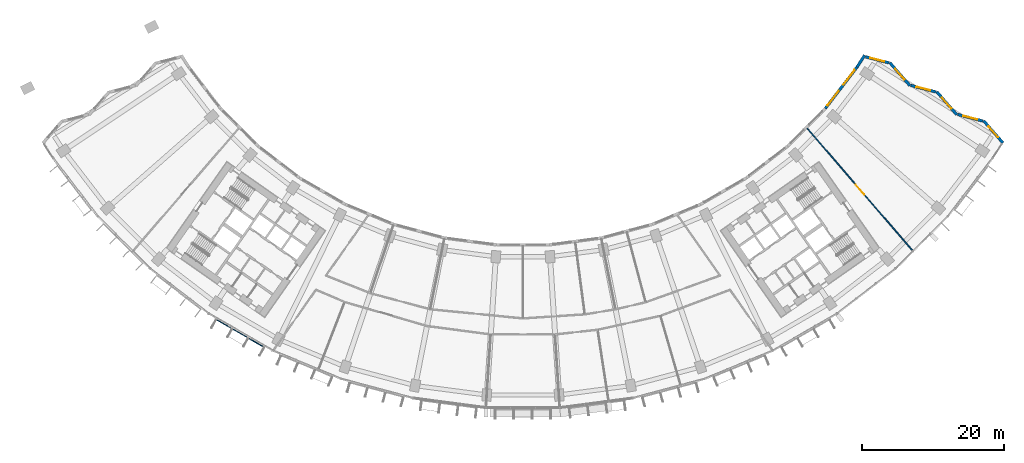
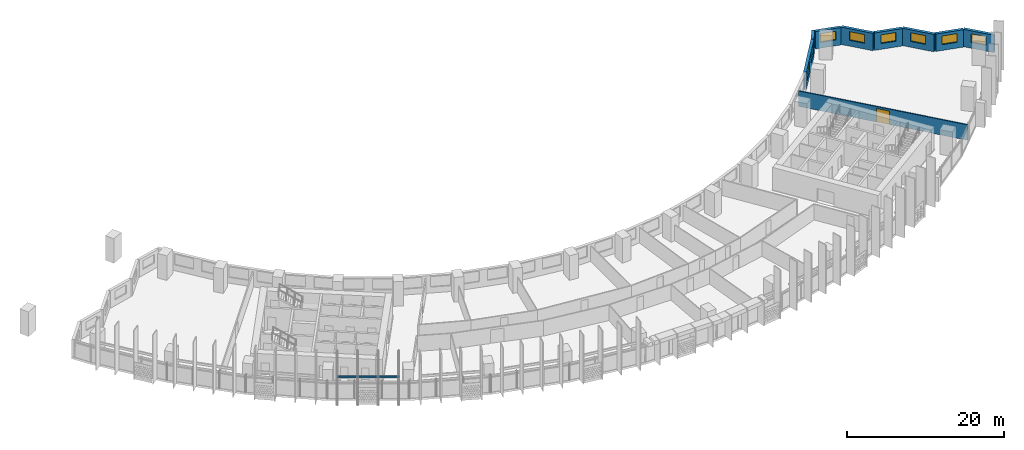
# One storey, part 8 of 32: 9 walls, 8 windows, 1 discrete accessory, 1 door, 9 openings.
"""IFC4 building model written with IfcOpenShell, lengths in metres."""

from ifc_helpers import new_model, si_unit, direction, frame, frame_2d, origin, origin_2d, place, context, subcontext, project, spatial, rectangle, extrude, material, layer, layer_set, type_object, element, fill, save


model = new_model("IFC4")

# Units and contexts
model_context = context("Model", 3, precision=1e-05, world=origin(), true_north=direction((0.0, 1.0)))
body_context = subcontext(model_context, "Body", "Model", "MODEL_VIEW")
ifc_project = project(units=[si_unit("LENGTHUNIT", "METRE"), si_unit("AREAUNIT", "SQUARE_METRE"), si_unit("VOLUMEUNIT", "CUBIC_METRE"), si_unit("PLANEANGLEUNIT", "RADIAN"), si_unit("MASSUNIT", "GRAM", prefix="KILO")], contexts=[model_context])

# Site, building, storey
site_placement = place(None, origin())
site = spatial("IfcSite", under=ifc_project, at=site_placement, CompositionType="ELEMENT")
building_placement = place(site_placement, origin())
building = spatial("IfcBuilding", under=site, at=building_placement, Name="Qamariyya Broadcast Tower", CompositionType="ELEMENT")
storey_placement = place(building_placement, frame((0.0, 0.0, 63.300048828125)))
storey = spatial("IfcBuildingStorey", under=building, at=storey_placement, Name="L12", CompositionType="ELEMENT", Elevation=63.300048828125)

# Wall, opening, door
ifc_material_1 = material(Name="Gypsum board partition")
ifc_layer_1 = layer(ifc_material_1, 0.14990234375)
ifc_layer_set_1 = layer_set([ifc_layer_1], Name="Corridor partition 150 EI 60")
wall_type_1 = type_object("IfcWallType", Name="Corridor partition 150 EI 60", PredefinedType="PARTITIONING", material=ifc_layer_set_1)
wall_1_placement = place(storey_placement, frame((40.021240234375, -40.063232421875, 0.0), z_axis=(0.0, 0.0, 1.0), x_axis=(0.652471531746, -0.757813235739, 0.0)))
wall_1 = element("IfcWall", 1, at=wall_1_placement, inside=storey, type_object=wall_type_1, Name="Partition L12-031", PredefinedType="PARTITIONING", context=body_context, shape_type="SweptSolid", body=[
    extrude(rectangle(XDim=22.71484375, YDim=0.14990234375, at=frame_2d((11.357421875, 0.0))), origin(), (0.0, 0.0, 1.0), 2.39990234375),
])
opening_1_placement = place(wall_1_placement, frame((10.45751953125, 0.0, 0.0)))
opening_1 = element("IfcOpeningElement", 2, at=opening_1_placement, cuts=wall_1, Name="Opening L12-D15", PredefinedType="OPENING", context=body_context, shape_type="SweptSolid", body=[
    extrude(rectangle(XDim=1.800048828125, YDim=2.10009765625, at=frame_2d((0.89990234375, 1.050048828125))), frame((0.0, 0.0849609375, 0.0), z_axis=(0.0, -1.0, 0.0), x_axis=(1.0, 0.0, 0.0)), (0.0, 0.0, 1.0), 0.169921875),
])
ifc_material_2 = material(Name="Timber fire door leaf", Category="wood")
door_type = type_object("IfcDoorType", Name="Double fire door 1800 x 2100 FD60", OperationType="NOTDEFINED", PredefinedType="DOOR", material=ifc_material_2)
door_placement = place(opening_1_placement, origin())
door = element("IfcDoor", 3, at=door_placement, inside=storey, type_object=door_type, Name="Door L12-D15", OperationType="DOUBLE_DOOR_SINGLE_SWING", OverallHeight=2.10009765625, OverallWidth=1.800048828125, PredefinedType="DOOR", context=body_context, shape_type="SweptSolid", body=[
    extrude(rectangle(XDim=1.800048828125, YDim=2.10009765625, at=frame_2d((0.89990234375, 1.050048828125))), frame((0.0, 0.02490234375, 0.0), z_axis=(0.0, -1.0, 0.0), x_axis=(1.0, 0.0, 0.0)), (0.0, 0.0, 1.0), 0.050048828125),
])
fill(opening_1, door)

# Wall, opening, window
ifc_material_3 = material(Name="Terracotta", Category="masonry")
ifc_layer_2 = layer(ifc_material_3, 0.39990234375)
ifc_layer_set_2 = layer_set([ifc_layer_2], Name="Terracotta clad wall 400")
wall_type_2 = type_object("IfcWallType", Name="Terracotta clad wall 400", PredefinedType="SOLIDWALL", material=ifc_layer_set_2)
wall_2_placement = place(storey_placement, frame((67.54931640625, -42.093505859375, 0.0), z_axis=(0.0, 0.0, 1.0), x_axis=(-0.657086010452, 0.753815610656, 0.0)))
wall_2 = element("IfcWall", 4, at=wall_2_placement, inside=storey, type_object=wall_type_2, Name="e-wl-L12-capE0", PredefinedType="SOLIDWALL", context=body_context, shape_type="SweptSolid", body=[
    extrude(rectangle(XDim=4.12158203125, YDim=0.39990234375, at=frame_2d((2.060791015625, 0.0))), origin(), (0.0, 0.0, 1.0), 2.699951171875),
])
opening_2_placement = place(wall_2_placement, frame((1.060791015625, 0.0, 0.89990234375)))
opening_2 = element("IfcOpeningElement", 5, at=opening_2_placement, cuts=wall_2, Name="Opening W4", PredefinedType="OPENING", context=body_context, shape_type="SweptSolid", body=[
    extrude(rectangle(XDim=2.0, YDim=1.35009765625, at=frame_2d((1.0, 0.675048828125))), frame((0.0, 0.2099609375, 0.0), z_axis=(0.0, -1.0, 0.0), x_axis=(1.0, 0.0, 0.0)), (0.0, 0.0, 1.0), 0.419921875),
])
ifc_material_4 = material(Name="Clear low-e double glazed unit in aluminium frame", Category="aluminium")
window_type_1 = type_object("IfcWindowType", Name="Horn bay window 2000 x 1350", PartitioningType="SINGLE_PANEL", PredefinedType="WINDOW", material=ifc_material_4)
window_1_placement = place(opening_2_placement, origin())
window_1 = element("IfcWindow", 6, at=window_1_placement, inside=storey, type_object=window_type_1, Name="e-w-L12-capE0", OverallHeight=1.35009765625, OverallWidth=2.0, PartitioningType="SINGLE_PANEL", PredefinedType="WINDOW", context=body_context, shape_type="SweptSolid", body=[
    extrude(rectangle(XDim=2.0, YDim=1.35009765625, at=frame_2d((1.0, 0.675048828125))), frame((0.0, 0.030029296875, 0.0), z_axis=(0.0, -1.0, 0.0), x_axis=(1.0, 0.0, 0.0)), (0.0, 0.0, 1.0), 0.06005859375),
])
fill(opening_2, window_1)

wall_3_placement = place(storey_placement, frame((64.716552734375, -39.018310546875, 0.0), z_axis=(0.0, 0.0, 1.0), x_axis=(-0.967784039245, 0.251781757445, 0.0)))
wall_3 = element("IfcWall", 7, at=wall_3_placement, inside=storey, type_object=wall_type_2, Name="e-wl-L12-capE1", PredefinedType="SOLIDWALL", context=body_context, shape_type="SweptSolid", body=[
    extrude(rectangle(XDim=3.648681640625, YDim=0.39990234375, at=frame_2d((1.82421875, 0.0))), origin(), (0.0, 0.0, 1.0), 2.699951171875),
])
opening_3_placement = place(wall_3_placement, frame((0.824462890625, 0.0, 0.89990234375)))
opening_3 = element("IfcOpeningElement", 8, at=opening_3_placement, cuts=wall_3, Name="Opening W4", PredefinedType="OPENING", context=body_context, shape_type="SweptSolid", body=[
    extrude(rectangle(XDim=2.0, YDim=1.35009765625, at=frame_2d((1.0, 0.675048828125))), frame((0.0, 0.2099609375, 0.0), z_axis=(0.0, -1.0, 0.0), x_axis=(1.0, 0.0, 0.0)), (0.0, 0.0, 1.0), 0.419921875),
])
window_2_placement = place(opening_3_placement, origin())
window_2 = element("IfcWindow", 9, at=window_2_placement, inside=storey, type_object=window_type_1, Name="e-w-L12-capE1", OverallHeight=1.35009765625, OverallWidth=2.0, PartitioningType="SINGLE_PANEL", PredefinedType="WINDOW", context=body_context, shape_type="SweptSolid", body=[
    extrude(rectangle(XDim=2.0, YDim=1.35009765625, at=frame_2d((1.0, 0.675048828125))), frame((0.0, 0.030029296875, 0.0), z_axis=(0.0, -1.0, 0.0), x_axis=(1.0, 0.0, 0.0)), (0.0, 0.0, 1.0), 0.06005859375),
])
fill(opening_3, window_2)

wall_4_placement = place(storey_placement, frame((61.060791015625, -38.13134765625, 0.0), z_axis=(0.0, 0.0, 1.0), x_axis=(-0.657163358548, 0.753748180881, 0.0)))
wall_4 = element("IfcWall", 10, at=wall_4_placement, inside=storey, type_object=wall_type_2, Name="e-wl-L12-capE2", PredefinedType="SOLIDWALL", context=body_context, shape_type="SweptSolid", body=[
    extrude(rectangle(XDim=4.294677734375, YDim=0.39990234375, at=frame_2d((2.1474609375, 0.0))), origin(), (0.0, 0.0, 1.0), 2.699951171875),
])
opening_4_placement = place(wall_4_placement, frame((1.147216796875, 0.0, 0.89990234375)))
opening_4 = element("IfcOpeningElement", 11, at=opening_4_placement, cuts=wall_4, Name="Opening W4", PredefinedType="OPENING", context=body_context, shape_type="SweptSolid", body=[
    extrude(rectangle(XDim=2.0, YDim=1.35009765625, at=frame_2d((1.0, 0.675048828125))), frame((0.0, 0.2099609375, 0.0), z_axis=(0.0, -1.0, 0.0), x_axis=(1.0, 0.0, 0.0)), (0.0, 0.0, 1.0), 0.419921875),
])
window_3_placement = place(opening_4_placement, origin())
window_3 = element("IfcWindow", 12, at=window_3_placement, inside=storey, type_object=window_type_1, Name="e-w-L12-capE2", OverallHeight=1.35009765625, OverallWidth=2.0, PartitioningType="SINGLE_PANEL", PredefinedType="WINDOW", context=body_context, shape_type="SweptSolid", body=[
    extrude(rectangle(XDim=2.0, YDim=1.35009765625, at=frame_2d((1.0, 0.675048828125))), frame((0.0, 0.030029296875, 0.0), z_axis=(0.0, -1.0, 0.0), x_axis=(1.0, 0.0, 0.0)), (0.0, 0.0, 1.0), 0.06005859375),
])
fill(opening_4, window_3)

wall_5_placement = place(storey_placement, frame((58.114013671875, -34.926025390625, 0.0), z_axis=(0.0, 0.0, 1.0), x_axis=(-0.967799683105, 0.251721618821, 0.0)))
wall_5 = element("IfcWall", 13, at=wall_5_placement, inside=storey, type_object=wall_type_2, Name="e-wl-L12-capE3", PredefinedType="SOLIDWALL", context=body_context, shape_type="SweptSolid", body=[
    extrude(rectangle(XDim=3.647705078125, YDim=0.39990234375, at=frame_2d((1.82373046875, 0.0))), origin(), (0.0, 0.0, 1.0), 2.699951171875),
])
opening_5_placement = place(wall_5_placement, frame((0.82373046875, 0.0, 0.89990234375)))
opening_5 = element("IfcOpeningElement", 14, at=opening_5_placement, cuts=wall_5, Name="Opening W4", PredefinedType="OPENING", context=body_context, shape_type="SweptSolid", body=[
    extrude(rectangle(XDim=2.0, YDim=1.35009765625, at=frame_2d((1.0, 0.675048828125))), frame((0.0, 0.2099609375, 0.0), z_axis=(0.0, -1.0, 0.0), x_axis=(1.0, 0.0, 0.0)), (0.0, 0.0, 1.0), 0.419921875),
])
window_4_placement = place(opening_5_placement, origin())
window_4 = element("IfcWindow", 15, at=window_4_placement, inside=storey, type_object=window_type_1, Name="e-w-L12-capE3", OverallHeight=1.35009765625, OverallWidth=2.0, PartitioningType="SINGLE_PANEL", PredefinedType="WINDOW", context=body_context, shape_type="SweptSolid", body=[
    extrude(rectangle(XDim=2.0, YDim=1.35009765625, at=frame_2d((1.0, 0.675048828125))), frame((0.0, 0.030029296875, 0.0), z_axis=(0.0, -1.0, 0.0), x_axis=(1.0, 0.0, 0.0)), (0.0, 0.0, 1.0), 0.06005859375),
])
fill(opening_5, window_4)

wall_6_placement = place(storey_placement, frame((54.45947265625, -34.03955078125, 0.0), z_axis=(0.0, 0.0, 1.0), x_axis=(-0.657240341437, 0.753681055611, 0.0)))
wall_6 = element("IfcWall", 16, at=wall_6_placement, inside=storey, type_object=wall_type_2, Name="e-wl-L12-capE4", PredefinedType="SOLIDWALL", context=body_context, shape_type="SweptSolid", body=[
    extrude(rectangle(XDim=4.2958984375, YDim=0.39990234375, at=frame_2d((2.14794921875, 0.0))), origin(), (0.0, 0.0, 1.0), 2.699951171875),
])
opening_6_placement = place(wall_6_placement, frame((1.14794921875, 0.0, 0.89990234375)))
opening_6 = element("IfcOpeningElement", 17, at=opening_6_placement, cuts=wall_6, Name="Opening W4", PredefinedType="OPENING", context=body_context, shape_type="SweptSolid", body=[
    extrude(rectangle(XDim=2.0, YDim=1.35009765625, at=frame_2d((1.0, 0.675048828125))), frame((0.0, 0.2099609375, 0.0), z_axis=(0.0, -1.0, 0.0), x_axis=(1.0, 0.0, 0.0)), (0.0, 0.0, 1.0), 0.419921875),
])
window_5_placement = place(opening_6_placement, origin())
window_5 = element("IfcWindow", 18, at=window_5_placement, inside=storey, type_object=window_type_1, Name="e-w-L12-capE4", OverallHeight=1.35009765625, OverallWidth=2.0, PartitioningType="SINGLE_PANEL", PredefinedType="WINDOW", context=body_context, shape_type="SweptSolid", body=[
    extrude(rectangle(XDim=2.0, YDim=1.35009765625, at=frame_2d((1.0, 0.675048828125))), frame((0.0, 0.030029296875, 0.0), z_axis=(0.0, -1.0, 0.0), x_axis=(1.0, 0.0, 0.0)), (0.0, 0.0, 1.0), 0.06005859375),
])
fill(opening_6, window_5)

wall_7_placement = place(storey_placement, frame((51.511474609375, -30.83349609375, 0.0), z_axis=(0.0, 0.0, 1.0), x_axis=(-0.967845276355, 0.251546260232, 0.0)))
wall_7 = element("IfcWall", 19, at=wall_7_placement, inside=storey, type_object=wall_type_2, Name="e-wl-L12-capE5", PredefinedType="SOLIDWALL", context=body_context, shape_type="SweptSolid", body=[
    extrude(rectangle(XDim=3.39404296875, YDim=0.39990234375, at=frame_2d((1.697021484375, 0.0))), origin(), (0.0, 0.0, 1.0), 2.699951171875),
])
opening_7_placement = place(wall_7_placement, frame((0.697021484375, 0.0, 0.89990234375)))
opening_7 = element("IfcOpeningElement", 20, at=opening_7_placement, cuts=wall_7, Name="Opening W4", PredefinedType="OPENING", context=body_context, shape_type="SweptSolid", body=[
    extrude(rectangle(XDim=2.0, YDim=1.35009765625, at=frame_2d((1.0, 0.675048828125))), frame((0.0, 0.2099609375, 0.0), z_axis=(0.0, -1.0, 0.0), x_axis=(1.0, 0.0, 0.0)), (0.0, 0.0, 1.0), 0.419921875),
])
window_6_placement = place(opening_7_placement, origin())
window_6 = element("IfcWindow", 21, at=window_6_placement, inside=storey, type_object=window_type_1, Name="e-w-L12-capE5", OverallHeight=1.35009765625, OverallWidth=2.0, PartitioningType="SINGLE_PANEL", PredefinedType="WINDOW", context=body_context, shape_type="SweptSolid", body=[
    extrude(rectangle(XDim=2.0, YDim=1.35009765625, at=frame_2d((1.0, 0.675048828125))), frame((0.0, 0.030029296875, 0.0), z_axis=(0.0, -1.0, 0.0), x_axis=(1.0, 0.0, 0.0)), (0.0, 0.0, 1.0), 0.06005859375),
])
fill(opening_7, window_6)

# Wall, openings, windows
wall_8_placement = place(storey_placement, frame((46.998046875, -31.446533203125, 0.0), z_axis=(0.0, 0.0, 1.0), x_axis=(-0.608764527442, -0.79335096277, 0.0)))
wall_8 = element("IfcWall", 22, at=wall_8_placement, inside=storey, type_object=wall_type_2, Name="e-wl-L12-in150", PredefinedType="SOLIDWALL", context=body_context, shape_type="SweptSolid", body=[
    extrude(rectangle(XDim=7.310302734375, YDim=0.39990234375, at=frame_2d((3.6552734375, 0.0))), origin(), (0.0, 0.0, 1.0), 2.699951171875),
])
opening_8_placement = place(wall_8_placement, frame((4.205078125, 0.0, 0.89990234375)))
opening_8 = element("IfcOpeningElement", 23, at=opening_8_placement, cuts=wall_8, Name="Opening W1", PredefinedType="OPENING", context=body_context, shape_type="SweptSolid", body=[
    extrude(rectangle(XDim=2.60009765625, YDim=1.64990234375, at=frame_2d((1.300048828125, 0.824951171875))), frame((0.0, 0.2099609375, 0.0), z_axis=(0.0, -1.0, 0.0), x_axis=(1.0, 0.0, 0.0)), (0.0, 0.0, 1.0), 0.419921875),
])
opening_9_placement = place(wall_8_placement, frame((0.519775390625, 0.0, 0.89990234375)))
opening_9 = element("IfcOpeningElement", 24, at=opening_9_placement, cuts=wall_8, Name="Opening W1", PredefinedType="OPENING", context=body_context, shape_type="SweptSolid", body=[
    extrude(rectangle(XDim=2.60009765625, YDim=1.64990234375, at=frame_2d((1.300048828125, 0.824951171875))), frame((0.0, 0.2099609375, 0.0), z_axis=(0.0, -1.0, 0.0), x_axis=(1.0, 0.0, 0.0)), (0.0, 0.0, 1.0), 0.419921875),
])
window_type_2 = type_object("IfcWindowType", Name="Ribbon window 2600 x 1650", PartitioningType="SINGLE_PANEL", PredefinedType="WINDOW", material=ifc_material_4)
window_7_placement = place(opening_8_placement, origin())
window_7 = element("IfcWindow", 25, at=window_7_placement, inside=storey, type_object=window_type_2, Name="e-w-L12-in15-0", OverallHeight=1.64990234375, OverallWidth=2.60009765625, PartitioningType="SINGLE_PANEL", PredefinedType="WINDOW", context=body_context, shape_type="SweptSolid", body=[
    extrude(rectangle(XDim=2.60009765625, YDim=1.64990234375, at=frame_2d((1.300048828125, 0.824951171875))), frame((0.0, 0.030029296875, 0.0), z_axis=(0.0, -1.0, 0.0), x_axis=(1.0, 0.0, 0.0)), (0.0, 0.0, 1.0), 0.06005859375),
])
fill(opening_8, window_7)
window_8_placement = place(opening_9_placement, origin())
window_8 = element("IfcWindow", 26, at=window_8_placement, inside=storey, type_object=window_type_2, Name="e-w-L12-in15-1", OverallHeight=1.64990234375, OverallWidth=2.60009765625, PartitioningType="SINGLE_PANEL", PredefinedType="WINDOW", context=body_context, shape_type="SweptSolid", body=[
    extrude(rectangle(XDim=2.60009765625, YDim=1.64990234375, at=frame_2d((1.300048828125, 0.824951171875))), frame((0.0, 0.030029296875, 0.0), z_axis=(0.0, -1.0, 0.0), x_axis=(1.0, 0.0, 0.0)), (0.0, 0.0, 1.0), 0.06005859375),
])
fill(opening_9, window_8)

# Wall
wall_9_placement = place(storey_placement, frame((48.08837890625, -29.75732421875, 0.0), z_axis=(0.0, 0.0, 1.0), x_axis=(-0.541351447765, -0.840796414123, 0.0)))
element("IfcWall", 27, at=wall_9_placement, inside=storey, type_object=wall_type_2, Name="e-wl-L12-in160", PredefinedType="SOLIDWALL", context=body_context, shape_type="SweptSolid", body=[
    extrude(rectangle(XDim=1.994140625, YDim=0.39990234375, at=frame_2d((0.9970703125, 0.0))), origin(), (0.0, 0.0, 1.0), 2.699951171875),
])

# Discrete accessory
ifc_material_5 = material(Name="Stainless steel 316", Category="steel")
discrete_accessory_type = type_object("IfcDiscreteAccessoryType", Name="Slab edge fixing angle, stainless steel", PredefinedType="BRACKET", material=ifc_material_5)
discrete_accessory_placement = place(storey_placement, frame((-39.77734375, -68.896240234375, 3.2998046875), z_axis=(0.0, 0.0, 1.0), x_axis=(0.866025403784, -0.5, 0.0)))
element("IfcDiscreteAccessory", 28, at=discrete_accessory_placement, inside=storey, type_object=discrete_accessory_type, Name="e-br-L12-04-0", PredefinedType="BRACKET", context=body_context, shape_type="SweptSolid", body=[
    extrude(rectangle(XDim=7.9140625, YDim=0.14990234375, at=origin_2d()), origin(), (0.0, 0.0, 1.0), 0.300048828125),
])

save(model, "model.ifc")
